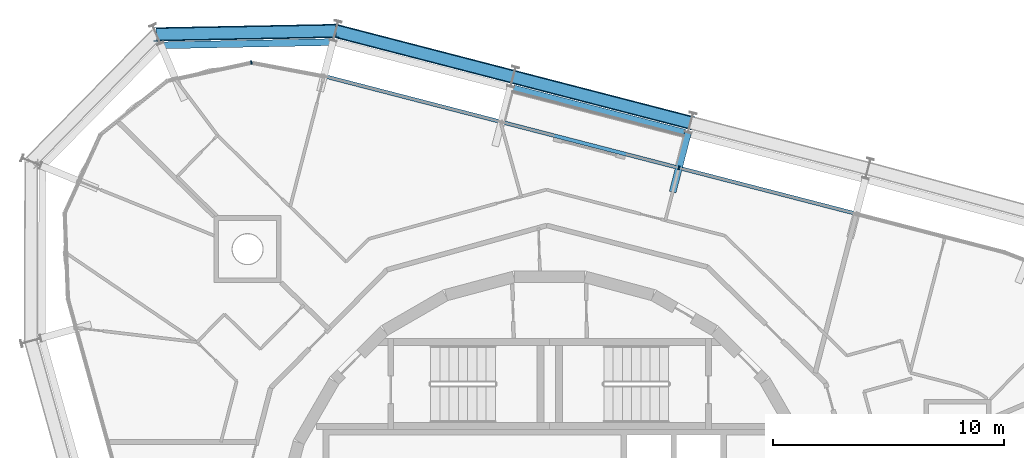
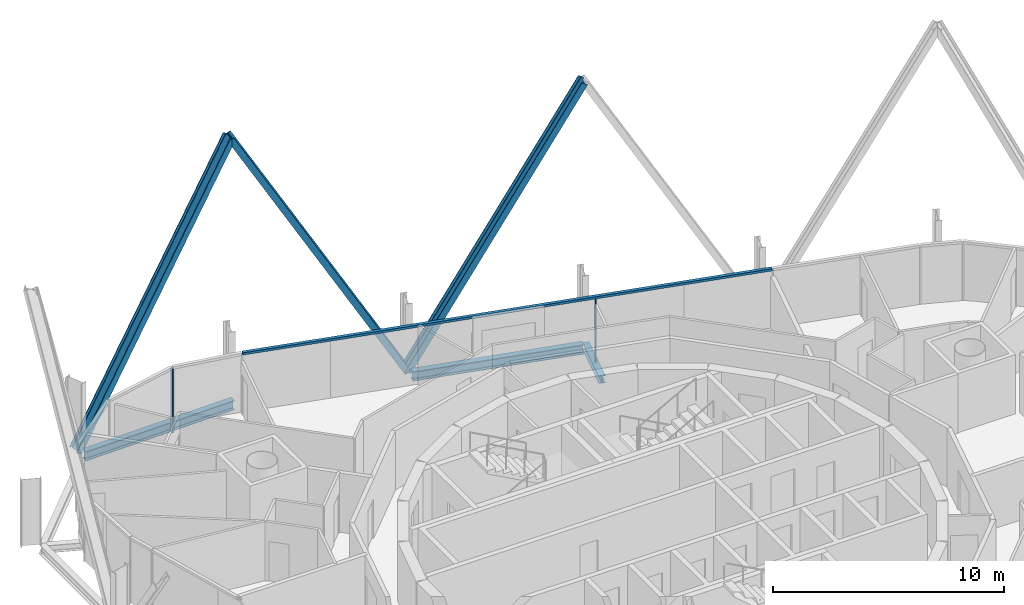
# One storey, part 6 of 15: 6 members, 3 beams, 2 elements without a shape of their own.
"""IFC4 building model written with IfcOpenShell, lengths in metres."""

from ifc_helpers import new_model, si_unit, direction, frame, origin, origin_2d, place, context, subcontext, project, spatial, rectangle, i_section, extrude, material, layer, layer_set, material_profile, profile_set, type_object, element, aggregate, save


model = new_model("IFC4")

# Units and contexts
model_context = context("Model", 3, precision=1e-05, world=origin(), true_north=direction((0.0, 1.0)))
body_context = subcontext(model_context, "Body", "Model", "MODEL_VIEW")
ifc_project = project(units=[si_unit("LENGTHUNIT", "METRE"), si_unit("AREAUNIT", "SQUARE_METRE"), si_unit("VOLUMEUNIT", "CUBIC_METRE"), si_unit("PLANEANGLEUNIT", "RADIAN"), si_unit("MASSUNIT", "GRAM", prefix="KILO")], contexts=[model_context])

# Site, building, storey
site_placement = place(None, origin())
site = spatial("IfcSite", under=ifc_project, at=site_placement, CompositionType="ELEMENT")
building_placement = place(site_placement, origin())
building = spatial("IfcBuilding", under=site, at=building_placement, Name="Spindle Arch Residences", CompositionType="ELEMENT")
storey_placement = place(building_placement, frame((0.0, 0.0, 312.199951171875)))
storey = spatial("IfcBuildingStorey", under=building, at=storey_placement, Name="L80", CompositionType="ELEMENT", Elevation=312.199951171875)

# Curtain wall, member
ifc_material_1 = material(Name="Aluminium bronze unitised frame with tinted glass", Category="aluminium")
ifc_layer_1 = layer(ifc_material_1, 0.159912109375)
ifc_layer_set_1 = layer_set([ifc_layer_1], Name="CW-C typical residential unitised wall")
curtain_wall_type_1 = type_object("IfcCurtainWallType", Name="CW-C typical residential unitised wall", PredefinedType="NOTDEFINED", material=ifc_layer_set_1)
curtain_wall_1_placement = place(storey_placement, origin())
curtain_wall_1 = element("IfcCurtainWall", 1, at=curtain_wall_1_placement, inside=storey, type_object=curtain_wall_type_1, Name="CW-C L80 run 2", PredefinedType="NOTDEFINED")
ifc_material_2 = material(Name="Aluminium bronze anodised mullion", Category="aluminium")
ifc_material_profile_1 = material_profile(ifc_material_2, rectangle(XDim=0.159912109375, YDim=0.06005859375, at=origin_2d()), Name="MU 60x160")
ifc_profile_set_1 = profile_set([ifc_material_profile_1], Name="Aluminium bronze anodised mullion")
member_type_1 = type_object("IfcMemberType", Name="Bronze mullion 60x160", PredefinedType="MULLION", material=ifc_profile_set_1)
member_1_placement = place(storey_placement, frame((5.59814453125, 16.3642578125, -0.3798828125), z_axis=(0.0, 0.0, 1.0), x_axis=(-0.250380004054, -0.968147640378, 0.0)))
member_1 = element("IfcMember", 2, at=member_1_placement, type_object=member_type_1, Name="CW-C mullion 06", PredefinedType="MULLION", context=body_context, shape_type="SweptSolid", body=[
    extrude(rectangle(XDim=0.159912109375, YDim=0.06005859375, at=origin_2d()), origin(), (0.0, 0.0, 1.0), 3.3798828125),
])

ifc_material_3 = material(Name="Aluminium bronze unitised frame with tinted glass", Category="aluminium")
ifc_layer_2 = layer(ifc_material_3, 0.159912109375)
ifc_layer_set_2 = layer_set([ifc_layer_2], Name="CW-D corner wall on the fillet arcs")
curtain_wall_type_2 = type_object("IfcCurtainWallType", Name="CW-D corner wall on the fillet arcs", PredefinedType="NOTDEFINED", material=ifc_layer_set_2)
curtain_wall_2_placement = place(storey_placement, origin())
curtain_wall_2 = element("IfcCurtainWall", 3, at=curtain_wall_2_placement, inside=storey, type_object=curtain_wall_type_2, Name="CW-D L80 run 3", PredefinedType="NOTDEFINED")
member_2_placement = place(storey_placement, frame((-12.908935546875, 20.925537109375, -0.3798828125), z_axis=(0.0, 0.0, 1.0), x_axis=(0.210756129184, -0.977538671364, 0.0)))
member_2 = element("IfcMember", 4, at=member_2_placement, type_object=member_type_1, Name="CW-D mullion 01", PredefinedType="MULLION", context=body_context, shape_type="SweptSolid", body=[
    extrude(rectangle(XDim=0.159912109375, YDim=0.06005859375, at=origin_2d()), origin(), (0.0, 0.0, 1.0), 3.3798828125),
])
aggregate(curtain_wall_2, [member_2])

# Member
ifc_material_4 = material(Name="Aluminium bronze anodised transom", Category="aluminium")
ifc_material_profile_2 = material_profile(ifc_material_4, rectangle(XDim=0.159912109375, YDim=0.1201171875, at=origin_2d()), Name="TR 120x160")
ifc_profile_set_2 = profile_set([ifc_material_profile_2], Name="Aluminium bronze anodised transom")
member_type_2 = type_object("IfcMemberType", Name="Bronze transom 120x160", PredefinedType="USERDEFINED", material=ifc_profile_set_2)
member_3_placement = place(storey_placement, frame((13.25146484375, 14.385009765625, 3.06005859375), z_axis=(-0.96814815777, 0.250378003441, 0.0), x_axis=(-0.250378003441, -0.96814815777, 0.0)))
member_3 = element("IfcMember", 5, at=member_3_placement, type_object=member_type_2, Name="CW-C transom 00", ObjectType="TRANSOM", PredefinedType="USERDEFINED", context=body_context, shape_type="SweptSolid", body=[
    extrude(rectangle(XDim=0.159912109375, YDim=0.1201171875, at=origin_2d()), origin(), (0.0, 0.0, 1.0), 23.745361328125),
])

aggregate(curtain_wall_1, [member_3, member_1])

# Members
ifc_material_5 = material(Name="Steel S460ML, intumescent coating R 240", Category="steel")
ifc_material_profile_3 = material_profile(ifc_material_5, i_section(OverallWidth=0.300048828125, OverallDepth=0.60009765625, WebThickness=0.015380859375, FlangeThickness=0.030029296875, FilletRadius=0.027099609375, at=origin_2d()), Name="HEB 600")
ifc_profile_set_3 = profile_set([ifc_material_profile_3], Name="Steel S460ML, intumescent coating R 240")
member_type_3 = type_object("IfcMemberType", Name="Diagrid diagonal HEB 600", PredefinedType="BRACE", material=ifc_profile_set_3)
member_4_placement = place(storey_placement, frame((-1.57861328125, 20.306640625, -0.6298828125), z_axis=(0.483322883946, -0.124993060555, 0.866473152883), x_axis=(-0.838875089579, 0.21694310026, 0.499223672649)))
element("IfcMember", 6, at=member_4_placement, inside=storey, type_object=member_type_3, Name="Diagrid diagonal 8.2.7", PredefinedType="BRACE", context=body_context, shape_type="SweptSolid", body=[
    extrude(i_section(OverallWidth=0.300048828125, OverallDepth=0.60009765625, WebThickness=0.015380859375, FlangeThickness=0.030029296875, FilletRadius=0.027099609375, at=origin_2d()), origin(), (0.0, 0.0, 1.0), 15.8955078125),
])
member_5_placement = place(storey_placement, frame((-1.57861328125, 20.306640625, -0.6298828125), z_axis=(-0.483299340891, 0.124994916296, 0.866486017195), x_axis=(0.838884201546, -0.216959245922, 0.499201344155)))
element("IfcMember", 7, at=member_5_placement, inside=storey, type_object=member_type_3, Name="Diagrid diagonal 8.2.8", PredefinedType="BRACE", context=body_context, shape_type="SweptSolid", body=[
    extrude(i_section(OverallWidth=0.300048828125, OverallDepth=0.60009765625, WebThickness=0.015380859375, FlangeThickness=0.030029296875, FilletRadius=0.027099609375, at=origin_2d()), origin(), (0.0, 0.0, 1.0), 15.895263671875),
])
member_6_placement = place(storey_placement, frame((-17.0185546875, 22.144775390625, -0.6298828125), z_axis=(0.490745408919, 0.009405335915, 0.871252250087), x_axis=(-0.871092283077, -0.016694838884, 0.490835529194)))
element("IfcMember", 8, at=member_6_placement, inside=storey, type_object=member_type_3, Name="Diagrid diagonal 8.2.9", PredefinedType="BRACE", context=body_context, shape_type="SweptSolid", body=[
    extrude(i_section(OverallWidth=0.300048828125, OverallDepth=0.60009765625, WebThickness=0.015380859375, FlangeThickness=0.030029296875, FilletRadius=0.027099609375, at=origin_2d()), origin(), (0.0, 0.0, 1.0), 15.80810546875),
])

# Beams
ifc_material_6 = material(Name="Steel S460ML, intumescent coating R 120", Category="steel")
ifc_material_profile_4 = material_profile(ifc_material_6, i_section(OverallWidth=0.300048828125, OverallDepth=0.5, WebThickness=0.014404296875, FlangeThickness=0.028076171875, FilletRadius=0.027099609375, at=origin_2d()), Name="HEB 500")
ifc_profile_set_4 = profile_set([ifc_material_profile_4], Name="Steel S460ML, intumescent coating R 120")
beam_type_1 = type_object("IfcBeamType", Name="Exoskeleton edge beam HEB 500", PredefinedType="BEAM", material=ifc_profile_set_4)
beam_1_placement = place(storey_placement, frame((5.85791015625, 17.8876953125, -0.6298828125), z_axis=(-0.968149836341, 0.250371512743, 0.0), x_axis=(-0.250371512743, -0.968149836341, 0.0)))
element("IfcBeam", 9, at=beam_1_placement, inside=storey, type_object=beam_type_1, Name="Exoskeleton edge beam 7", PredefinedType="BEAM", context=body_context, shape_type="SweptSolid", body=[
    extrude(i_section(OverallWidth=0.300048828125, OverallDepth=0.5, WebThickness=0.014404296875, FlangeThickness=0.028076171875, FilletRadius=0.027099609375, at=origin_2d()), origin(), (0.0, 0.0, 1.0), 7.675048828125),
])
beam_2_placement = place(storey_placement, frame((-9.355224609375, 21.812255859375, -0.6298828125), z_axis=(-0.999816137615, -0.019175269612, 0.0), x_axis=(0.019175269612, -0.999816137615, 0.0)))
element("IfcBeam", 10, at=beam_2_placement, inside=storey, type_object=beam_type_1, Name="Exoskeleton edge beam 9", PredefinedType="BEAM", context=body_context, shape_type="SweptSolid", body=[
    extrude(i_section(OverallWidth=0.300048828125, OverallDepth=0.5, WebThickness=0.014404296875, FlangeThickness=0.028076171875, FilletRadius=0.027099609375, at=origin_2d()), origin(), (0.0, 0.0, 1.0), 7.499267578125),
])
ifc_material_7 = material(Name="Steel S460ML, intumescent coating R 120", Category="steel")
ifc_material_profile_5 = material_profile(ifc_material_7, i_section(OverallWidth=0.300048828125, OverallDepth=0.389892578125, WebThickness=0.010986328125, FlangeThickness=0.01904296875, FilletRadius=0.027099609375, at=origin_2d()), Name="HEA 400")
ifc_profile_set_5 = profile_set([ifc_material_profile_5], Name="Steel S460ML, intumescent coating R 120")
beam_type_2 = type_object("IfcBeamType", Name="Floor outrigger HEA 400", PredefinedType="BEAM", material=ifc_profile_set_5)
beam_3_placement = place(storey_placement, frame((5.9912109375, 17.88427734375, -0.574951171875), z_axis=(-0.250396221036, -0.968143446237, 0.0), x_axis=(0.968143446237, -0.250396221036, 0.0)))
element("IfcBeam", 11, at=beam_3_placement, inside=storey, type_object=beam_type_2, Name="Floor outrigger 7", PredefinedType="BEAM", context=body_context, shape_type="SweptSolid", body=[
    extrude(i_section(OverallWidth=0.300048828125, OverallDepth=0.389892578125, WebThickness=0.010986328125, FlangeThickness=0.01904296875, FilletRadius=0.027099609375, at=origin_2d()), origin(), (0.0, 0.0, 1.0), 2.650146484375),
])

save(model, "model.ifc")
